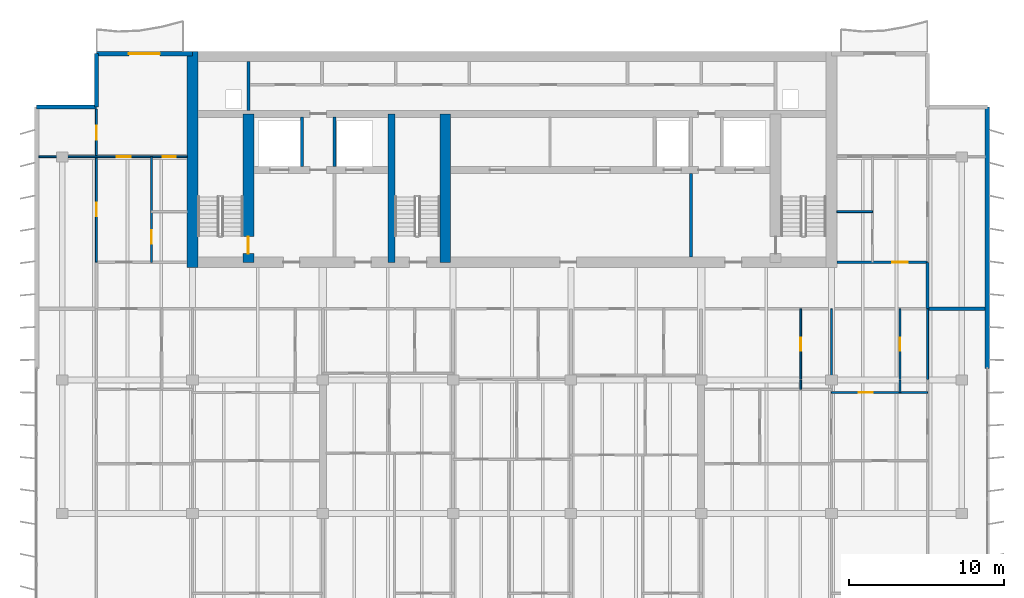
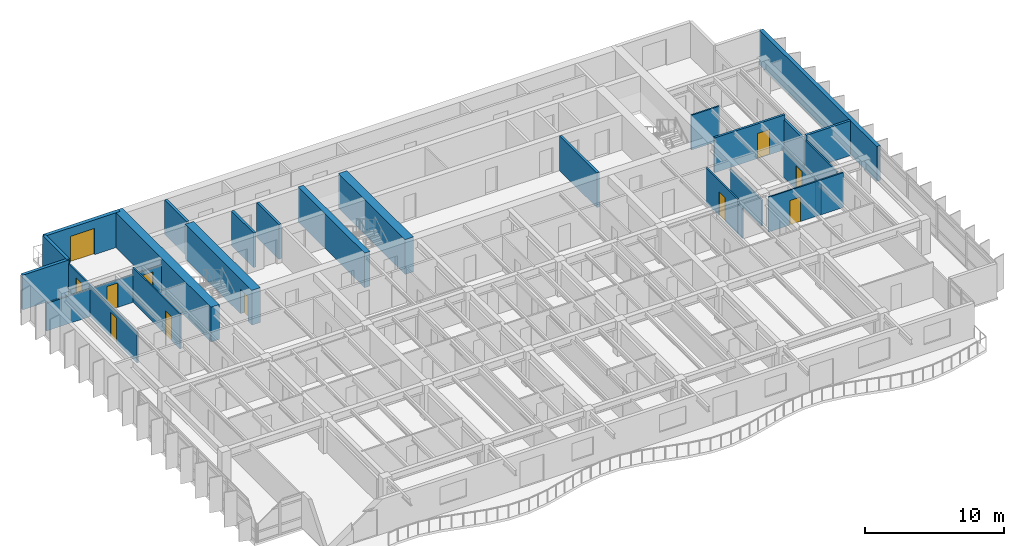
# One storey, part 9 of 16: 26 walls, 11 doors, 11 openings.
"""IFC4 building model written with IfcOpenShell, lengths in metres."""

import ifcopenshell
import ifcopenshell.guid

model = None  # the IFC model being written
_history = None  # IfcOwnerHistory: only IFC2X3 demands one
_inside = {}  # id of a spatial element -> (the spatial element, [elements in it])
_under = {}  # id of a project, library or spatial element -> (it, [spatial elements below it])
_declared = {}  # id of a project -> (the project, [libraries it declares])
_typed = {}  # id of a type object -> (the type object, [elements of that type])
_made_of = {}  # id of a material, layer set ... -> (it, [elements and type objects made of it])


def new_model(schema):
    """Start an empty IFC model of exactly this schema.

    Asked for "IFC4X3", IfcOpenShell would pick the latest addendum, in which some entities
    have other attributes; the version numbers below select the first issue.
    IFC2X3 requires an IfcOwnerHistory on every rooted entity: one is made here for all.
    """
    global model, _history
    if schema == "IFC4X3":
        model = ifcopenshell.file(schema_version=(4, 3, 0, 0))
    else:
        model = ifcopenshell.file(schema=schema)
    _inside.clear()
    _under.clear()
    _declared.clear()
    _typed.clear()
    _made_of.clear()
    _history = None
    if model.schema == "IFC2X3":
        org = make("IfcOrganization", Name="unknown")
        user = make(
            "IfcPersonAndOrganization",
            ThePerson=make("IfcPerson", FamilyName="unknown"),
            TheOrganization=org,
        )
        app = make(
            "IfcApplication",
            ApplicationDeveloper=org,
            Version="unknown",
            ApplicationFullName="unknown",
            ApplicationIdentifier="unknown",
        )
        _history = make(
            "IfcOwnerHistory",
            OwningUser=user,
            OwningApplication=app,
            ChangeAction="ADDED",
            CreationDate=0,
        )
    return model


def make(cls, **values):
    """One entity of the class cls with the attributes given. An attribute that is None is left unset."""
    return model.create_entity(
        cls, **{name: value for name, value in values.items() if value is not None}
    )


def rooted(cls, **values):
    """An entity with a GlobalId (a new one), such as an element, a storey or a relation."""
    return make(cls, GlobalId=ifcopenshell.guid.new(), OwnerHistory=_history, **values)


def si_unit(unit_type, name, prefix=None):
    """IfcSIUnit, for example si_unit("LENGTHUNIT", "METRE", prefix="MILLI")."""
    return make("IfcSIUnit", UnitType=unit_type, Prefix=prefix, Name=name)


def assignment(units):
    """IfcUnitAssignment: the units of a project."""
    return None if units is None else make("IfcUnitAssignment", Units=units)


def point(xyz):
    """IfcCartesianPoint."""
    return None if xyz is None else make("IfcCartesianPoint", Coordinates=xyz)


def direction(xyz):
    """IfcDirection."""
    return None if xyz is None else make("IfcDirection", DirectionRatios=xyz)


def frame(location, z_axis=None, x_axis=None):
    """IfcAxis2Placement3D, a coordinate frame: its origin and axes. An axis left out is left unset."""
    return make(
        "IfcAxis2Placement3D",
        Location=point(location),
        Axis=direction(z_axis),
        RefDirection=direction(x_axis),
    )


def frame_2d(location, x_axis=None):
    """IfcAxis2Placement2D, a coordinate frame in the plane: its origin and x axis."""
    return make(
        "IfcAxis2Placement2D", Location=point(location), RefDirection=direction(x_axis)
    )


def origin():
    """The frame at (0, 0, 0) with its axes left unset."""
    return frame((0.0, 0.0, 0.0))


def place(relative_to, where):
    """IfcLocalPlacement: puts the frame where relative to a parent placement (None: the world)."""
    return make(
        "IfcLocalPlacement", PlacementRelTo=relative_to, RelativePlacement=where
    )


def context(
    kind, dimensions, precision=None, world=None, true_north=None, identifier=None
):
    """IfcGeometricRepresentationContext, for example the 3D "Model" context."""
    return make(
        "IfcGeometricRepresentationContext",
        ContextIdentifier=identifier,
        ContextType=kind,
        CoordinateSpaceDimension=dimensions,
        Precision=precision,
        WorldCoordinateSystem=world,
        TrueNorth=true_north,
    )


def subcontext(parent, identifier, kind, view, scale=None):
    """IfcGeometricRepresentationSubContext, for example "Body" below "Model"."""
    return make(
        "IfcGeometricRepresentationSubContext",
        ContextIdentifier=identifier,
        ContextType=kind,
        ParentContext=parent,
        TargetScale=scale,
        TargetView=view,
    )


def project(units=None, contexts=None):
    """IfcProject with its units and contexts."""
    return rooted(
        "IfcProject",
        Name="project",
        RepresentationContexts=contexts,
        UnitsInContext=assignment(units),
    )


def spatial(cls, under=None, at=None, **own):
    """A site, building, storey or space (cls), placed at a placement, below another one or the project."""
    s = rooted(cls, ObjectPlacement=at, **own)
    if under is not None:
        _under.setdefault(under.id(), (under, []))[1].append(s)
    return s


def profile(cls, at=None, kind="AREA", **sizes):
    """A parametric profile (cls). Its sizes go by their IFC names, for example OverallWidth=200.0."""
    return make(cls, ProfileType=kind, Position=at, **sizes)


def rectangle(**sizes):
    """IfcRectangleProfileDef."""
    return profile("IfcRectangleProfileDef", **sizes)


def extrude(swept, where, along, depth):
    """IfcExtrudedAreaSolid: the profile swept, set in the frame where, extruded along a direction by depth."""
    return make(
        "IfcExtrudedAreaSolid",
        SweptArea=swept,
        Position=where,
        ExtrudedDirection=direction(along),
        Depth=depth,
    )


def shape(context_of_items, identifier, shape_type, items):
    """IfcShapeRepresentation: the items that make up one representation, for example the "Body"."""
    return make(
        "IfcShapeRepresentation",
        ContextOfItems=context_of_items,
        RepresentationIdentifier=identifier,
        RepresentationType=shape_type,
        Items=items,
    )


def material(Name=None, Category=None):
    """IfcMaterial."""
    return make("IfcMaterial", Name=Name, Category=Category)


def layer(
    of_material, thickness, ventilated=None, Name=None, Category=None, Priority=None
):
    """IfcMaterialLayer: one layer of a wall or slab, of a material (None: an air gap)."""
    return make(
        "IfcMaterialLayer",
        Material=of_material,
        LayerThickness=thickness,
        IsVentilated=ventilated,
        Name=Name,
        Category=Category,
        Priority=Priority,
    )


def layer_set(layers, Name=None):
    """IfcMaterialLayerSet."""
    return make("IfcMaterialLayerSet", MaterialLayers=layers, LayerSetName=Name)


def made_of(thing, what):
    """Note that an element or type object is made of a material, layer set ...; save() writes the relation."""
    if what is not None:
        _made_of.setdefault(what.id(), (what, []))[1].append(thing)
    return thing


def type_object(cls, material=None, **own):
    """A type object (cls), such as IfcWallType, which elements share."""
    return made_of(rooted(cls, **own), material)


def element(
    cls,
    number,
    at=None,
    inside=None,
    cuts=None,
    type_object=None,
    material=None,
    context=None,
    identifier="Body",
    shape_type=None,
    held_by="IfcProductDefinitionShape",
    body=None,
    shapes=None,
    **own,
):
    """One element of the class cls, such as IfcWall. Its Tag is "e" and its number.

    at: its placement. inside: the storey or other place that contains it. cuts: it is an
    opening in that element (IfcRelVoidsElement). A single representation is given by context,
    identifier, shape_type and body (its items); several are given by shapes. held_by: the class
    of the entity that holds the representations. save() writes the other relations.
    """
    e = rooted(cls, Tag="e%d" % number, ObjectPlacement=at, **own)
    if body is not None:
        shapes = [shape(context, identifier, shape_type, body)]
    if shapes is not None:
        e.Representation = make(held_by, Representations=shapes)
    if inside is not None:
        _inside.setdefault(inside.id(), (inside, []))[1].append(e)
    if cuts is not None:
        rooted(
            "IfcRelVoidsElement", RelatingBuildingElement=cuts, RelatedOpeningElement=e
        )
    if type_object is not None:
        _typed.setdefault(type_object.id(), (type_object, []))[1].append(e)
    return made_of(e, material)


def fill(opening, filler):
    """IfcRelFillsElement: the door or window that sits in an opening."""
    return rooted(
        "IfcRelFillsElement",
        RelatingOpeningElement=opening,
        RelatedBuildingElement=filler,
    )


def aggregate(whole, parts):
    """IfcRelAggregates: a whole, such as a stair, and the parts it consists of."""
    return rooted("IfcRelAggregates", RelatingObject=whole, RelatedObjects=parts)


def save(model, path):
    """Write the relations noted so far, then the file.

    IfcRelAggregates (storeys below a building ...), IfcRelContainedInSpatialStructure (elements
    in a storey), IfcRelDefinesByType, IfcRelAssociatesMaterial and IfcRelDeclares: one each for
    every whole, place, type object, material and project.
    """
    for whole, parts in _under.values():
        aggregate(whole, parts)
    for where, things in _inside.values():
        rooted(
            "IfcRelContainedInSpatialStructure",
            RelatedElements=things,
            RelatingStructure=where,
        )
    for kind, things in _typed.values():
        rooted("IfcRelDefinesByType", RelatedObjects=things, RelatingType=kind)
    for what, things in _made_of.values():
        rooted("IfcRelAssociatesMaterial", RelatedObjects=things, RelatingMaterial=what)
    for by, libraries in _declared.values():
        rooted("IfcRelDeclares", RelatingContext=by, RelatedDefinitions=libraries)
    model.write(path)


model = new_model("IFC4")

# Units and contexts
model_context = context("Model", 3, precision=1e-05, world=origin(), true_north=direction((0.0, 1.0)))
body_context = subcontext(model_context, "Body", "Model", "MODEL_VIEW")
ifc_project = project(units=[si_unit("LENGTHUNIT", "METRE"), si_unit("AREAUNIT", "SQUARE_METRE"), si_unit("VOLUMEUNIT", "CUBIC_METRE"), si_unit("PLANEANGLEUNIT", "RADIAN"), si_unit("MASSUNIT", "GRAM", prefix="KILO")], contexts=[model_context])

# Site, building, storey
site_placement = place(None, origin())
site = spatial("IfcSite", under=ifc_project, at=site_placement, CompositionType="ELEMENT")
building_placement = place(site_placement, origin())
building = spatial("IfcBuilding", under=site, at=building_placement, Name="Caelmar Bay Residences", CompositionType="ELEMENT")
storey_placement = place(building_placement, frame((0.0, 0.0, 233.10009765625)))
storey = spatial("IfcBuildingStorey", under=building, at=storey_placement, Name="L65", CompositionType="ELEMENT", Elevation=233.10009765625)

# Wall
ifc_material_1 = material(Name="Concrete f'c 55 MPa (8,000 psi)", Category="concrete")
ifc_layer_1 = layer(ifc_material_1, 0.699951171875)
ifc_layer_set_1 = layer_set([ifc_layer_1], Name="Concrete f'c 55 MPa (8,000 psi)")
wall_type_1 = type_object("IfcWallType", Name="SW-COR-700", PredefinedType="SHEAR", material=ifc_layer_set_1)
wall_1_placement = place(storey_placement, frame((18.300048828125, 36.64990234375, 0.0), z_axis=(0.0, 0.0, 1.0), x_axis=(0.0, 1.0, 0.0)))
element("IfcWall", 1, at=wall_1_placement, inside=storey, type_object=wall_type_1, Name="L65 Rear Core West Shear Wall", PredefinedType="SHEAR", context=body_context, shape_type="SweptSolid", body=[
    extrude(rectangle(XDim=13.9501953125, YDim=0.699951171875, at=frame_2d((6.97509765625, 0.0))), origin(), (0.0, 0.0, 1.0), 3.0498046875),
])

# Wall, opening, door
wall_2_placement = place(storey_placement, frame((21.89990234375, 37.0, 0.0), z_axis=(0.0, 0.0, 1.0), x_axis=(0.0, 1.0, 0.0)))
wall_2 = element("IfcWall", 2, at=wall_2_placement, inside=storey, type_object=wall_type_1, Name="L65 Core Structural Web Wall ST1E", PredefinedType="SHEAR", context=body_context, shape_type="SweptSolid", body=[
    extrude(rectangle(XDim=9.574951171875, YDim=0.699951171875, at=frame_2d((4.78759765625, 0.0))), origin(), (0.0, 0.0, 1.0), 3.0498046875),
])
opening_1_placement = place(wall_2_placement, frame((0.550048828125, 0.0, 0.0)))
opening_1 = element("IfcOpeningElement", 3, at=opening_1_placement, cuts=wall_2, Name="Opening D-L65-107", PredefinedType="OPENING", context=body_context, shape_type="SweptSolid", body=[
    extrude(rectangle(XDim=1.10009765625, YDim=2.14990234375, at=frame_2d((0.550048828125, 1.074951171875))), frame((0.0, 0.35986328125, 0.0), z_axis=(0.0, -1.0, 0.0), x_axis=(1.0, 0.0, 0.0)), (0.0, 0.0, 1.0), 0.719970703125),
])
ifc_material_2 = material(Name="Fire-rated steel and walnut architectural door assembly", Category="steel")
ifc_layer_2 = layer(ifc_material_2, 0.050048828125)
ifc_layer_set_2 = layer_set([ifc_layer_2], Name="Fire-rated steel and walnut architectural door assembly")
door_type_1 = type_object("IfcDoorType", Name="D-STAIR-1100", OperationType="NOTDEFINED", PredefinedType="DOOR", material=ifc_layer_set_2)
door_1_placement = place(opening_1_placement, origin())
door_1 = element("IfcDoor", 4, at=door_1_placement, inside=storey, type_object=door_type_1, Name="L65 Firefighting Lobby West Door", OperationType="SINGLE_SWING_RIGHT", OverallHeight=2.14990234375, OverallWidth=1.10009765625, PredefinedType="DOOR", context=body_context, shape_type="SweptSolid", body=[
    extrude(rectangle(XDim=1.10009765625, YDim=2.14990234375, at=frame_2d((0.550048828125, 1.074951171875))), frame((0.0, 0.02490234375, 0.0), z_axis=(0.0, -1.0, 0.0), x_axis=(1.0, 0.0, 0.0)), (0.0, 0.0, 1.0), 0.050048828125),
])
fill(opening_1, door_1)

# Walls
wall_3_placement = place(storey_placement, frame((34.60009765625, 37.0, 0.0), z_axis=(0.0, 0.0, 1.0), x_axis=(0.0, 1.0, 0.0)))
element("IfcWall", 5, at=wall_3_placement, inside=storey, type_object=wall_type_1, Name="L65 Core Structural Web Wall ST3E", PredefinedType="SHEAR", context=body_context, shape_type="SweptSolid", body=[
    extrude(rectangle(XDim=9.574951171875, YDim=0.699951171875, at=frame_2d((4.78759765625, 0.0))), origin(), (0.0, 0.0, 1.0), 3.0498046875),
])
ifc_material_3 = material(Name="Concrete f'c 70 MPa (10,000 psi)", Category="concrete")
ifc_layer_3 = layer(ifc_material_3, 0.449951171875)
ifc_layer_set_3 = layer_set([ifc_layer_3], Name="Concrete f'c 70 MPa (10,000 psi)")
wall_type_2 = type_object("IfcWallType", Name="SW-WEB-450", PredefinedType="SHEAR", material=ifc_layer_set_3)
wall_4_placement = place(storey_placement, frame((31.125, 37.0, 0.0), z_axis=(0.0, 0.0, 1.0), x_axis=(0.0, 1.0, 0.0)))
element("IfcWall", 6, at=wall_4_placement, inside=storey, type_object=wall_type_2, Name="L65 Core Structural Web Wall ST3W", PredefinedType="SHEAR", context=body_context, shape_type="SweptSolid", body=[
    extrude(rectangle(XDim=9.574951171875, YDim=0.449951171875, at=frame_2d((4.78759765625, 0.0))), origin(), (0.0, 0.0, 1.0), 3.0498046875),
])
ifc_material_4 = material(Name="Double-stud acoustic fire-rated gypsum partition 180 mm")
ifc_layer_4 = layer(ifc_material_4, 0.179931640625)
ifc_layer_set_4 = layer_set([ifc_layer_4], Name="Double-stud acoustic fire-rated gypsum partition 180 mm")
wall_type_3 = type_object("IfcWallType", Name="W-COR-200", PredefinedType="PARTITIONING", material=ifc_layer_set_4)
wall_5_placement = place(storey_placement, frame((65.699951171875, 34.0048828125, 0.0), z_axis=(0.0, 0.0, 1.0), x_axis=(0.0, 1.0, 0.0)))
element("IfcWall", 7, at=wall_5_placement, inside=storey, type_object=wall_type_3, Name="L65 Partition Wall V065", PredefinedType="PARTITIONING", context=body_context, shape_type="SweptSolid", body=[
    extrude(rectangle(XDim=2.9951171875, YDim=0.179931640625, at=frame_2d((1.49755859375, 0.0))), origin(), (0.0, 0.0, 1.0), 2.62890625),
])

# Wall, opening, door
wall_6_placement = place(storey_placement, frame((59.85498046875, 37.0, 0.0), z_axis=(0.0, 0.0, 1.0), x_axis=(1.0, 0.0, 0.0)))
wall_6 = element("IfcWall", 8, at=wall_6_placement, inside=storey, type_object=wall_type_3, Name="L65 Partition Wall H094", PredefinedType="PARTITIONING", context=body_context, shape_type="SweptSolid", body=[
    extrude(rectangle(XDim=5.844970703125, YDim=0.179931640625, at=frame_2d((2.92236328125, 0.0))), origin(), (0.0, 0.0, 1.0), 3.0498046875),
])
opening_2_placement = place(wall_6_placement, frame((3.570068359375, 0.0, 0.0)))
opening_2 = element("IfcOpeningElement", 9, at=opening_2_placement, cuts=wall_6, Name="Opening D-L65-172", PredefinedType="OPENING", context=body_context, shape_type="SweptSolid", body=[
    extrude(rectangle(XDim=1.0, YDim=2.199951171875, at=frame_2d((0.5, 1.10009765625))), frame((0.0, 0.099853515625, 0.0), z_axis=(0.0, -1.0, 0.0), x_axis=(1.0, 0.0, 0.0)), (0.0, 0.0, 1.0), 0.199951171875),
])
ifc_layer_5 = layer(ifc_material_2, 0.050048828125)
ifc_layer_set_5 = layer_set([ifc_layer_5], Name="Fire-rated steel and walnut architectural door assembly")
door_type_2 = type_object("IfcDoorType", Name="D-UNIT-1000", OperationType="NOTDEFINED", PredefinedType="DOOR", material=ifc_layer_set_5)
door_2_placement = place(opening_2_placement, origin())
door_2 = element("IfcDoor", 10, at=door_2_placement, inside=storey, type_object=door_type_2, Name="L65 Residence EA Kitchen Door", OperationType="SINGLE_SWING_LEFT", OverallHeight=2.199951171875, OverallWidth=1.0, PredefinedType="DOOR", context=body_context, shape_type="SweptSolid", body=[
    extrude(rectangle(XDim=1.0, YDim=2.199951171875, at=frame_2d((0.5, 1.10009765625))), frame((0.0, 0.02490234375, 0.0), z_axis=(0.0, -1.0, 0.0), x_axis=(1.0, 0.0, 0.0)), (0.0, 0.0, 1.0), 0.050048828125),
])
fill(opening_2, door_2)

# Walls
ifc_material_5 = material(Name="Precast concrete f'c 40 MPa (6,000 psi)", Category="concrete")
ifc_layer_6 = layer(ifc_material_5, 0.25)
ifc_layer_set_6 = layer_set([ifc_layer_6], Name="Precast concrete f'c 40 MPa (6,000 psi)")
wall_type_4 = type_object("IfcWallType", Name="W-EXT-250", PredefinedType="ELEMENTEDWALL", material=ifc_layer_set_6)
wall_7_placement = place(storey_placement, frame((8.25, 47.0, 0.0), z_axis=(0.0, 0.0, 1.0), x_axis=(1.0, 0.0, 0.0)))
element("IfcWall", 11, at=wall_7_placement, inside=storey, type_object=wall_type_4, Name="L65 NNW-H Notch Wall", PredefinedType="ELEMENTEDWALL", context=body_context, shape_type="SweptSolid", body=[
    extrude(rectangle(XDim=3.85009765625, YDim=0.25, at=frame_2d((1.925048828125, 0.0))), origin(), (0.0, 0.0, 1.0), 3.0498046875),
])
wall_8_placement = place(storey_placement, frame((12.10009765625, 47.0, 0.0), z_axis=(0.0, 0.0, 1.0), x_axis=(0.0, 1.0, 0.0)))
element("IfcWall", 12, at=wall_8_placement, inside=storey, type_object=wall_type_4, Name="L65 NNW-V Notch Wall", PredefinedType="ELEMENTEDWALL", context=body_context, shape_type="SweptSolid", body=[
    extrude(rectangle(XDim=3.449951171875, YDim=0.25, at=frame_2d((1.72509765625, 0.0))), origin(), (0.0, 0.0, 1.0), 3.0498046875),
])
ifc_layer_7 = layer(ifc_material_5, 0.300048828125)
ifc_layer_set_7 = layer_set([ifc_layer_7], Name="Precast concrete f'c 40 MPa (6,000 psi)")
wall_type_5 = type_object("IfcWallType", Name="W-EXT-300", PredefinedType="STANDARD", material=ifc_layer_set_7)
wall_9_placement = place(storey_placement, frame((69.550048828125, 47.0, 0.0), z_axis=(0.0, 0.0, 1.0), x_axis=(0.0, -1.0, 0.0)))
element("IfcWall", 13, at=wall_9_placement, inside=storey, type_object=wall_type_5, Name="L65 East Rear Exterior Wall", PredefinedType="STANDARD", context=body_context, shape_type="SweptSolid", body=[
    extrude(rectangle(XDim=16.85009765625, YDim=0.300048828125, at=frame_2d((8.425048828125, 0.0))), origin(), (0.0, 0.0, 1.0), 3.0498046875),
])

# Wall, opening, door
wall_10_placement = place(storey_placement, frame((12.10009765625, 50.449951171875, 0.0), z_axis=(0.0, 0.0, 1.0), x_axis=(1.0, 0.0, 0.0)))
wall_10 = element("IfcWall", 14, at=wall_10_placement, inside=storey, type_object=wall_type_5, Name="L65 North-West Wing Exterior Wall", PredefinedType="STANDARD", context=body_context, shape_type="SweptSolid", body=[
    extrude(rectangle(XDim=6.199951171875, YDim=0.300048828125, at=frame_2d((3.10009765625, 0.0))), origin(), (0.0, 0.0, 1.0), 3.0498046875),
])
opening_3_placement = place(wall_10_placement, frame((2.10009765625, 0.0, 0.0)))
opening_3 = element("IfcOpeningElement", 15, at=opening_3_placement, cuts=wall_10, Name="Opening L65-BDNW", PredefinedType="OPENING", context=body_context, shape_type="SweptSolid", body=[
    extrude(rectangle(XDim=2.0, YDim=2.300048828125, at=frame_2d((1.0, 1.14990234375))), frame((0.0, 0.159912109375, 0.0), z_axis=(0.0, -1.0, 0.0), x_axis=(1.0, 0.0, 0.0)), (0.0, 0.0, 1.0), 0.320068359375),
])
ifc_material_6 = material(Name="Anodised bronze thermally broken sliding glass door", Category="glass")
ifc_layer_8 = layer(ifc_material_6, 0.050048828125)
ifc_layer_set_8 = layer_set([ifc_layer_8], Name="Anodised bronze thermally broken sliding glass door")
door_type_3 = type_object("IfcDoorType", Name="D-BAL-2000", OperationType="DOUBLE_DOOR_SLIDING", PredefinedType="DOOR", material=ifc_layer_set_8)
door_3_placement = place(opening_3_placement, origin())
door_3 = element("IfcDoor", 16, at=door_3_placement, inside=storey, type_object=door_type_3, Name="L65 North-West Balcony Door", OperationType="DOUBLE_DOOR_SLIDING", OverallHeight=2.300048828125, OverallWidth=2.0, PredefinedType="DOOR", context=body_context, shape_type="SweptSolid", body=[
    extrude(rectangle(XDim=2.0, YDim=2.300048828125, at=frame_2d((1.0, 1.14990234375))), frame((0.0, 0.02490234375, 0.0), z_axis=(0.0, -1.0, 0.0), x_axis=(1.0, 0.0, 0.0)), (0.0, 0.0, 1.0), 0.050048828125),
])
fill(opening_3, door_3)

# Walls
ifc_material_7 = material(Name="Fire-rated masonry and gypsum shaftliner assembly 200 mm", Category="masonry")
ifc_layer_9 = layer(ifc_material_7, 0.199951171875)
ifc_layer_set_9 = layer_set([ifc_layer_9], Name="Fire-rated masonry and gypsum shaftliner assembly 200 mm")
wall_type_6 = type_object("IfcWallType", Name="W-FSAE-200", PredefinedType="PARTITIONING", material=ifc_layer_set_9)
wall_11_placement = place(storey_placement, frame((21.89990234375, 46.794921875, 0.0), z_axis=(0.0, 0.0, 1.0), x_axis=(0.0, 1.0, 0.0)))
element("IfcWall", 17, at=wall_11_placement, inside=storey, type_object=wall_type_6, Name="L65 Partition Wall V011", PredefinedType="PARTITIONING", context=body_context, shape_type="SweptSolid", body=[
    extrude(rectangle(XDim=3.16015625, YDim=0.199951171875, at=frame_2d((1.580078125, 0.0))), origin(), (0.0, 0.0, 1.0), 3.0498046875),
])
for number, where, z_axis, x_axis, name in (
    (18, (25.35009765625, 43.169921875, 0.0), (0.0, 0.0, 1.0), (0.0, 1.0, 0.0), "L65 Partition Wall V014"),
    (19, (27.449951171875, 43.169921875, 0.0), (0.0, 0.0, 1.0), (0.0, 1.0, 0.0), "L65 Partition Wall V020"),
):
    element("IfcWall", number, at=place(storey_placement, frame(where, z_axis=z_axis, x_axis=x_axis)), inside=storey, type_object=wall_type_6, Name=name, PredefinedType="PARTITIONING", context=body_context, shape_type="SweptSolid", body=[
        extrude(rectangle(XDim=3.18505859375, YDim=0.199951171875, at=frame_2d((1.592529296875, 0.0))), origin(), (0.0, 0.0, 1.0), 3.0498046875),
    ])
wall_12_placement = place(storey_placement, frame((50.449951171875, 37.344970703125, 0.0), z_axis=(0.0, 0.0, 1.0), x_axis=(0.0, 1.0, 0.0)))
element("IfcWall", 20, at=wall_12_placement, inside=storey, type_object=wall_type_6, Name="L65 Partition Wall V046", PredefinedType="PARTITIONING", context=body_context, shape_type="SweptSolid", body=[
    extrude(rectangle(XDim=5.385009765625, YDim=0.199951171875, at=frame_2d((2.6923828125, 0.0))), origin(), (0.0, 0.0, 1.0), 3.0498046875),
])

# Wall, openings, doors
ifc_material_8 = material(Name="Acoustic metal-stud gypsum partition 120 mm")
ifc_layer_10 = layer(ifc_material_8, 0.1201171875)
ifc_layer_set_10 = layer_set([ifc_layer_10], Name="Acoustic metal-stud gypsum partition 120 mm")
wall_type_7 = type_object("IfcWallType", Name="W-PRT-120", PredefinedType="PARTITIONING", material=ifc_layer_set_10)
wall_13_placement = place(storey_placement, frame((12.10009765625, 37.0048828125, 0.0), z_axis=(0.0, 0.0, 1.0), x_axis=(0.0, 1.0, 0.0)))
wall_13 = element("IfcWall", 21, at=wall_13_placement, inside=storey, type_object=wall_type_7, Name="L65 Partition Wall V004", PredefinedType="PARTITIONING", context=body_context, shape_type="SweptSolid", body=[
    extrude(rectangle(XDim=9.875, YDim=0.1201171875, at=frame_2d((4.9375, 0.0))), origin(), (0.0, 0.0, 1.0), 2.724853515625),
])
opening_4_placement = place(wall_13_placement, frame((2.947509765625, 0.0, 0.0)))
opening_4 = element("IfcOpeningElement", 22, at=opening_4_placement, cuts=wall_13, Name="Opening D-L65-170", PredefinedType="OPENING", context=body_context, shape_type="SweptSolid", body=[
    extrude(rectangle(XDim=0.89990234375, YDim=2.14990234375, at=frame_2d((0.449951171875, 1.074951171875))), frame((0.0, 0.070068359375, 0.0), z_axis=(0.0, -1.0, 0.0), x_axis=(1.0, 0.0, 0.0)), (0.0, 0.0, 1.0), 0.14013671875),
])
opening_5_placement = place(wall_13_placement, frame((7.885009765625, 0.0, 0.0)))
opening_5 = element("IfcOpeningElement", 23, at=opening_5_placement, cuts=wall_13, Name="Opening D-L65-171", PredefinedType="OPENING", context=body_context, shape_type="SweptSolid", body=[
    extrude(rectangle(XDim=0.89990234375, YDim=2.14990234375, at=frame_2d((0.449951171875, 1.074951171875))), frame((0.0, 0.070068359375, 0.0), z_axis=(0.0, -1.0, 0.0), x_axis=(1.0, 0.0, 0.0)), (0.0, 0.0, 1.0), 0.14013671875),
])
ifc_material_9 = material(Name="Solid walnut timber interior door leaf and frame", Category="wood")
ifc_layer_11 = layer(ifc_material_9, 0.050048828125)
ifc_layer_set_11 = layer_set([ifc_layer_11], Name="Solid walnut timber interior door leaf and frame")
door_type_4 = type_object("IfcDoorType", Name="D-ROOM-900", OperationType="NOTDEFINED", PredefinedType="DOOR", material=ifc_layer_set_11)
door_4_placement = place(opening_4_placement, origin())
door_4 = element("IfcDoor", 24, at=door_4_placement, inside=storey, type_object=door_type_4, Name="L65 Residence WA Sun Study Door", OperationType="SINGLE_SWING_LEFT", OverallHeight=2.14990234375, OverallWidth=0.89990234375, PredefinedType="DOOR", context=body_context, shape_type="SweptSolid", body=[
    extrude(rectangle(XDim=0.89990234375, YDim=2.14990234375, at=frame_2d((0.449951171875, 1.074951171875))), frame((0.0, 0.02490234375, 0.0), z_axis=(0.0, -1.0, 0.0), x_axis=(1.0, 0.0, 0.0)), (0.0, 0.0, 1.0), 0.050048828125),
])
fill(opening_4, door_4)
door_5_placement = place(opening_5_placement, origin())
door_5 = element("IfcDoor", 25, at=door_5_placement, inside=storey, type_object=door_type_4, Name="L65 Residence WA North Sitting Alcove Door", OperationType="SINGLE_SWING_RIGHT", OverallHeight=2.14990234375, OverallWidth=0.89990234375, PredefinedType="DOOR", context=body_context, shape_type="SweptSolid", body=[
    extrude(rectangle(XDim=0.89990234375, YDim=2.14990234375, at=frame_2d((0.449951171875, 1.074951171875))), frame((0.0, 0.02490234375, 0.0), z_axis=(0.0, -1.0, 0.0), x_axis=(1.0, 0.0, 0.0)), (0.0, 0.0, 1.0), 0.050048828125),
])
fill(opening_5, door_5)

# Wall, opening, door
wall_14_placement = place(storey_placement, frame((15.64990234375, 37.0, 0.0), z_axis=(0.0, 0.0, 1.0), x_axis=(0.0, 1.0, 0.0)))
wall_14 = element("IfcWall", 26, at=wall_14_placement, inside=storey, type_object=wall_type_7, Name="L65 Partition Wall V005", PredefinedType="PARTITIONING", context=body_context, shape_type="SweptSolid", body=[
    extrude(rectangle(XDim=6.800048828125, YDim=0.1201171875, at=frame_2d((3.39990234375, 0.0))), origin(), (0.0, 0.0, 1.0), 3.0498046875),
])
opening_6_placement = place(wall_14_placement, frame((1.20703125, 0.0, 0.0)))
opening_6 = element("IfcOpeningElement", 27, at=opening_6_placement, cuts=wall_14, Name="Opening D-L65-168", PredefinedType="OPENING", context=body_context, shape_type="SweptSolid", body=[
    extrude(rectangle(XDim=0.85009765625, YDim=2.10009765625, at=frame_2d((0.425048828125, 1.050048828125))), frame((0.0, 0.070068359375, 0.0), z_axis=(0.0, -1.0, 0.0), x_axis=(1.0, 0.0, 0.0)), (0.0, 0.0, 1.0), 0.14013671875),
])
ifc_layer_12 = layer(ifc_material_9, 0.050048828125)
ifc_layer_set_12 = layer_set([ifc_layer_12], Name="Solid walnut timber interior door leaf and frame")
door_type_5 = type_object("IfcDoorType", Name="D-BATH-850", OperationType="NOTDEFINED", PredefinedType="DOOR", material=ifc_layer_set_12)
door_6_placement = place(opening_6_placement, origin())
door_6 = element("IfcDoor", 28, at=door_6_placement, inside=storey, type_object=door_type_5, Name="L65 Residence WA Walk-In Closet Door", OperationType="SINGLE_SWING_LEFT", OverallHeight=2.10009765625, OverallWidth=0.85009765625, PredefinedType="DOOR", context=body_context, shape_type="SweptSolid", body=[
    extrude(rectangle(XDim=0.85009765625, YDim=2.10009765625, at=frame_2d((0.425048828125, 1.050048828125))), frame((0.0, 0.02490234375, 0.0), z_axis=(0.0, -1.0, 0.0), x_axis=(1.0, 0.0, 0.0)), (0.0, 0.0, 1.0), 0.050048828125),
])
fill(opening_6, door_6)

# Wall
wall_15_placement = place(storey_placement, frame((57.51904296875, 28.800048828125, 0.0), z_axis=(0.0, 0.0, 1.0), x_axis=(0.0, 1.0, 0.0)))
element("IfcWall", 29, at=wall_15_placement, inside=storey, type_object=wall_type_7, Name="L65 Partition Wall V055", PredefinedType="PARTITIONING", context=body_context, shape_type="SweptSolid", body=[
    extrude(rectangle(XDim=0.599853515625, YDim=0.1201171875, at=frame_2d((0.2998046875, 0.0))), origin(), (0.0, 0.0, 1.0), 2.62890625),
])

# Wall, opening, door
wall_16_placement = place(storey_placement, frame((57.51904296875, 29.43994140625, 0.0), z_axis=(0.0, 0.0, 1.0), x_axis=(0.0, 1.0, 0.0)))
wall_16 = element("IfcWall", 30, at=wall_16_placement, inside=storey, type_object=wall_type_7, Name="L65 Partition Wall V056", PredefinedType="PARTITIONING", context=body_context, shape_type="SweptSolid", body=[
    extrude(rectangle(XDim=4.56005859375, YDim=0.1201171875, at=frame_2d((2.280029296875, 0.0))), origin(), (0.0, 0.0, 1.0), 3.0498046875),
])
opening_7_placement = place(wall_16_placement, frame((1.85498046875, 0.0, 0.0)))
opening_7 = element("IfcOpeningElement", 31, at=opening_7_placement, cuts=wall_16, Name="Opening D-L65-155", PredefinedType="OPENING", context=body_context, shape_type="SweptSolid", body=[
    extrude(rectangle(XDim=0.85009765625, YDim=2.10009765625, at=frame_2d((0.425048828125, 1.050048828125))), frame((0.0, 0.070068359375, 0.0), z_axis=(0.0, -1.0, 0.0), x_axis=(1.0, 0.0, 0.0)), (0.0, 0.0, 1.0), 0.14013671875),
])
door_7_placement = place(opening_7_placement, origin())
door_7 = element("IfcDoor", 32, at=door_7_placement, inside=storey, type_object=door_type_5, Name="L65 Residence 05 Guest Bathroom Door", OperationType="SINGLE_SWING_RIGHT", OverallHeight=2.10009765625, OverallWidth=0.85009765625, PredefinedType="DOOR", context=body_context, shape_type="SweptSolid", body=[
    extrude(rectangle(XDim=0.85009765625, YDim=2.10009765625, at=frame_2d((0.425048828125, 1.050048828125))), frame((0.0, 0.02490234375, 0.0), z_axis=(0.0, -1.0, 0.0), x_axis=(1.0, 0.0, 0.0)), (0.0, 0.0, 1.0), 0.050048828125),
])
fill(opening_7, door_7)

# Walls
wall_17_placement = place(storey_placement, frame((59.5, 29.43994140625, 0.0), z_axis=(0.0, 0.0, 1.0), x_axis=(0.0, 1.0, 0.0)))
element("IfcWall", 33, at=wall_17_placement, inside=storey, type_object=wall_type_7, Name="L65 Partition Wall V059", PredefinedType="PARTITIONING", context=body_context, shape_type="SweptSolid", body=[
    extrude(rectangle(XDim=4.56005859375, YDim=0.1201171875, at=frame_2d((2.280029296875, 0.0))), origin(), (0.0, 0.0, 1.0), 2.262939453125),
])
wall_18_placement = place(storey_placement, frame((63.922119140625, 28.60009765625, 0.0), z_axis=(0.0, 0.0, 1.0), x_axis=(0.0, 1.0, 0.0)))
element("IfcWall", 34, at=wall_18_placement, inside=storey, type_object=wall_type_7, Name="L65 Partition Wall V061", PredefinedType="PARTITIONING", context=body_context, shape_type="SweptSolid", body=[
    extrude(rectangle(XDim=0.7998046875, YDim=0.1201171875, at=frame_2d((0.39990234375, 0.0))), origin(), (0.0, 0.0, 1.0), 2.577880859375),
])

# Wall, opening, door
wall_19_placement = place(storey_placement, frame((63.922119140625, 29.43994140625, 0.0), z_axis=(0.0, 0.0, 1.0), x_axis=(0.0, 1.0, 0.0)))
wall_19 = element("IfcWall", 35, at=wall_19_placement, inside=storey, type_object=wall_type_7, Name="L65 Partition Wall V062", PredefinedType="PARTITIONING", context=body_context, shape_type="SweptSolid", body=[
    extrude(rectangle(XDim=4.56005859375, YDim=0.1201171875, at=frame_2d((2.280029296875, 0.0))), origin(), (0.0, 0.0, 1.0), 2.577880859375),
])
opening_8_placement = place(wall_19_placement, frame((1.85498046875, 0.0, 0.0)))
opening_8 = element("IfcOpeningElement", 36, at=opening_8_placement, cuts=wall_19, Name="Opening D-L65-161", PredefinedType="OPENING", context=body_context, shape_type="SweptSolid", body=[
    extrude(rectangle(XDim=0.85009765625, YDim=2.10009765625, at=frame_2d((0.425048828125, 1.050048828125))), frame((0.0, 0.070068359375, 0.0), z_axis=(0.0, -1.0, 0.0), x_axis=(1.0, 0.0, 0.0)), (0.0, 0.0, 1.0), 0.14013671875),
])
door_8_placement = place(opening_8_placement, origin())
door_8 = element("IfcDoor", 37, at=door_8_placement, inside=storey, type_object=door_type_5, Name="L65 Residence 05 En-Suite Bathroom 1 Door", OperationType="SINGLE_SWING_RIGHT", OverallHeight=2.10009765625, OverallWidth=0.85009765625, PredefinedType="DOOR", context=body_context, shape_type="SweptSolid", body=[
    extrude(rectangle(XDim=0.85009765625, YDim=2.10009765625, at=frame_2d((0.425048828125, 1.050048828125))), frame((0.0, 0.02490234375, 0.0), z_axis=(0.0, -1.0, 0.0), x_axis=(1.0, 0.0, 0.0)), (0.0, 0.0, 1.0), 0.050048828125),
])
fill(opening_8, door_8)

# Wall
wall_20_placement = place(storey_placement, frame((65.699951171875, 29.43994140625, 0.0), z_axis=(0.0, 0.0, 1.0), x_axis=(0.0, 1.0, 0.0)))
element("IfcWall", 38, at=wall_20_placement, inside=storey, type_object=wall_type_7, Name="L65 Partition Wall V064", PredefinedType="PARTITIONING", context=body_context, shape_type="SweptSolid", body=[
    extrude(rectangle(XDim=4.56005859375, YDim=0.1201171875, at=frame_2d((2.280029296875, 0.0))), origin(), (0.0, 0.0, 1.0), 2.62890625),
])

# Wall, opening, door
wall_21_placement = place(storey_placement, frame((59.5, 28.60009765625, 0.0), z_axis=(0.0, 0.0, 1.0), x_axis=(1.0, 0.0, 0.0)))
wall_21 = element("IfcWall", 39, at=wall_21_placement, inside=storey, type_object=wall_type_7, Name="L65 Partition Wall H081", PredefinedType="PARTITIONING", context=body_context, shape_type="SweptSolid", body=[
    extrude(rectangle(XDim=6.199951171875, YDim=0.1201171875, at=frame_2d((3.10009765625, 0.0))), origin(), (0.0, 0.0, 1.0), 3.0498046875),
])
opening_9_placement = place(wall_21_placement, frame((1.760986328125, 0.0, 0.0)))
opening_9 = element("IfcOpeningElement", 40, at=opening_9_placement, cuts=wall_21, Name="Opening D-L65-160", PredefinedType="OPENING", context=body_context, shape_type="SweptSolid", body=[
    extrude(rectangle(XDim=0.89990234375, YDim=2.14990234375, at=frame_2d((0.449951171875, 1.074951171875))), frame((0.0, 0.070068359375, 0.0), z_axis=(0.0, -1.0, 0.0), x_axis=(1.0, 0.0, 0.0)), (0.0, 0.0, 1.0), 0.14013671875),
])
door_9_placement = place(opening_9_placement, origin())
door_9 = element("IfcDoor", 41, at=door_9_placement, inside=storey, type_object=door_type_4, Name="L65 Residence 05 Home Office 1 Door", OperationType="SINGLE_SWING_LEFT", OverallHeight=2.14990234375, OverallWidth=0.89990234375, PredefinedType="DOOR", context=body_context, shape_type="SweptSolid", body=[
    extrude(rectangle(XDim=0.89990234375, YDim=2.14990234375, at=frame_2d((0.449951171875, 1.074951171875))), frame((0.0, 0.02490234375, 0.0), z_axis=(0.0, -1.0, 0.0), x_axis=(1.0, 0.0, 0.0)), (0.0, 0.0, 1.0), 0.050048828125),
])
fill(opening_9, door_9)

# Wall
wall_22_placement = place(storey_placement, frame((59.844970703125, 40.263916015625, 0.0), z_axis=(0.0, 0.0, 1.0), x_axis=(1.0, 0.0, 0.0)))
element("IfcWall", 42, at=wall_22_placement, inside=storey, type_object=wall_type_7, Name="L65 Partition Wall H096", PredefinedType="PARTITIONING", context=body_context, shape_type="SweptSolid", body=[
    extrude(rectangle(XDim=2.304931640625, YDim=0.1201171875, at=frame_2d((1.15234375, 0.0))), origin(), (0.0, 0.0, 1.0), 3.0498046875),
])

# Wall, openings, doors
wall_23_placement = place(storey_placement, frame((8.39501953125, 43.800048828125, 0.0), z_axis=(0.0, 0.0, 1.0), x_axis=(1.0, 0.0, 0.0)))
wall_23 = element("IfcWall", 43, at=wall_23_placement, inside=storey, type_object=wall_type_7, Name="L65 Partition Wall H097", PredefinedType="PARTITIONING", context=body_context, shape_type="SweptSolid", body=[
    extrude(rectangle(XDim=9.56005859375, YDim=0.1201171875, at=frame_2d((4.780029296875, 0.0))), origin(), (0.0, 0.0, 1.0), 2.41796875),
])
opening_10_placement = place(wall_23_placement, frame((5.030029296875, 0.0, 0.0)))
opening_10 = element("IfcOpeningElement", 44, at=opening_10_placement, cuts=wall_23, Name="Opening D-L65-167", PredefinedType="OPENING", context=body_context, shape_type="SweptSolid", body=[
    extrude(rectangle(XDim=0.89990234375, YDim=2.14990234375, at=frame_2d((0.449951171875, 1.074951171875))), frame((0.0, 0.070068359375, 0.0), z_axis=(0.0, -1.0, 0.0), x_axis=(1.0, 0.0, 0.0)), (0.0, 0.0, 1.0), 0.14013671875),
])
opening_11_placement = place(wall_23_placement, frame((7.982421875, 0.0, 0.0)))
opening_11 = element("IfcOpeningElement", 45, at=opening_11_placement, cuts=wall_23, Name="Opening D-L65-169", PredefinedType="OPENING", context=body_context, shape_type="SweptSolid", body=[
    extrude(rectangle(XDim=0.85009765625, YDim=2.10009765625, at=frame_2d((0.425048828125, 1.050048828125))), frame((0.0, 0.070068359375, 0.0), z_axis=(0.0, -1.0, 0.0), x_axis=(1.0, 0.0, 0.0)), (0.0, 0.0, 1.0), 0.14013671875),
])
door_10_placement = place(opening_11_placement, origin())
door_10 = element("IfcDoor", 46, at=door_10_placement, inside=storey, type_object=door_type_5, Name="L65 Residence WA Bathroom Door", OperationType="SINGLE_SWING_RIGHT", OverallHeight=2.10009765625, OverallWidth=0.85009765625, PredefinedType="DOOR", context=body_context, shape_type="SweptSolid", body=[
    extrude(rectangle(XDim=0.85009765625, YDim=2.10009765625, at=frame_2d((0.425048828125, 1.050048828125))), frame((0.0, 0.02490234375, 0.0), z_axis=(0.0, -1.0, 0.0), x_axis=(1.0, 0.0, 0.0)), (0.0, 0.0, 1.0), 0.050048828125),
])
fill(opening_11, door_10)
door_11_placement = place(opening_10_placement, origin())
door_11 = element("IfcDoor", 47, at=door_11_placement, inside=storey, type_object=door_type_4, Name="L65 Residence WA Studio Living and Sleeping Room Door", OperationType="SINGLE_SWING_RIGHT", OverallHeight=2.14990234375, OverallWidth=0.89990234375, PredefinedType="DOOR", context=body_context, shape_type="SweptSolid", body=[
    extrude(rectangle(XDim=0.89990234375, YDim=2.14990234375, at=frame_2d((0.449951171875, 1.074951171875))), frame((0.0, 0.02490234375, 0.0), z_axis=(0.0, -1.0, 0.0), x_axis=(1.0, 0.0, 0.0)), (0.0, 0.0, 1.0), 0.050048828125),
])
fill(opening_10, door_11)

# Wall
ifc_material_10 = material(Name="Acoustic twin-stud fire-rated inter-tenancy partition 200 mm")
ifc_layer_13 = layer(ifc_material_10, 0.199951171875)
ifc_layer_set_13 = layer_set([ifc_layer_13], Name="Acoustic twin-stud fire-rated inter-tenancy partition 200 mm")
wall_type_8 = type_object("IfcWallType", Name="W-PTY-200", PredefinedType="PARTITIONING", material=ifc_layer_set_13)
wall_24_placement = place(storey_placement, frame((65.705078125, 34.0, 0.0), z_axis=(0.0, 0.0, 1.0), x_axis=(1.0, 0.0, 0.0)))
element("IfcWall", 48, at=wall_24_placement, inside=storey, type_object=wall_type_8, Name="L65 Partition Wall H092", PredefinedType="PARTITIONING", context=body_context, shape_type="SweptSolid", body=[
    extrude(rectangle(XDim=3.699951171875, YDim=0.199951171875, at=frame_2d((1.85009765625, 0.0))), origin(), (0.0, 0.0, 1.0), 3.0498046875),
])

save(model, "model.ifc")
